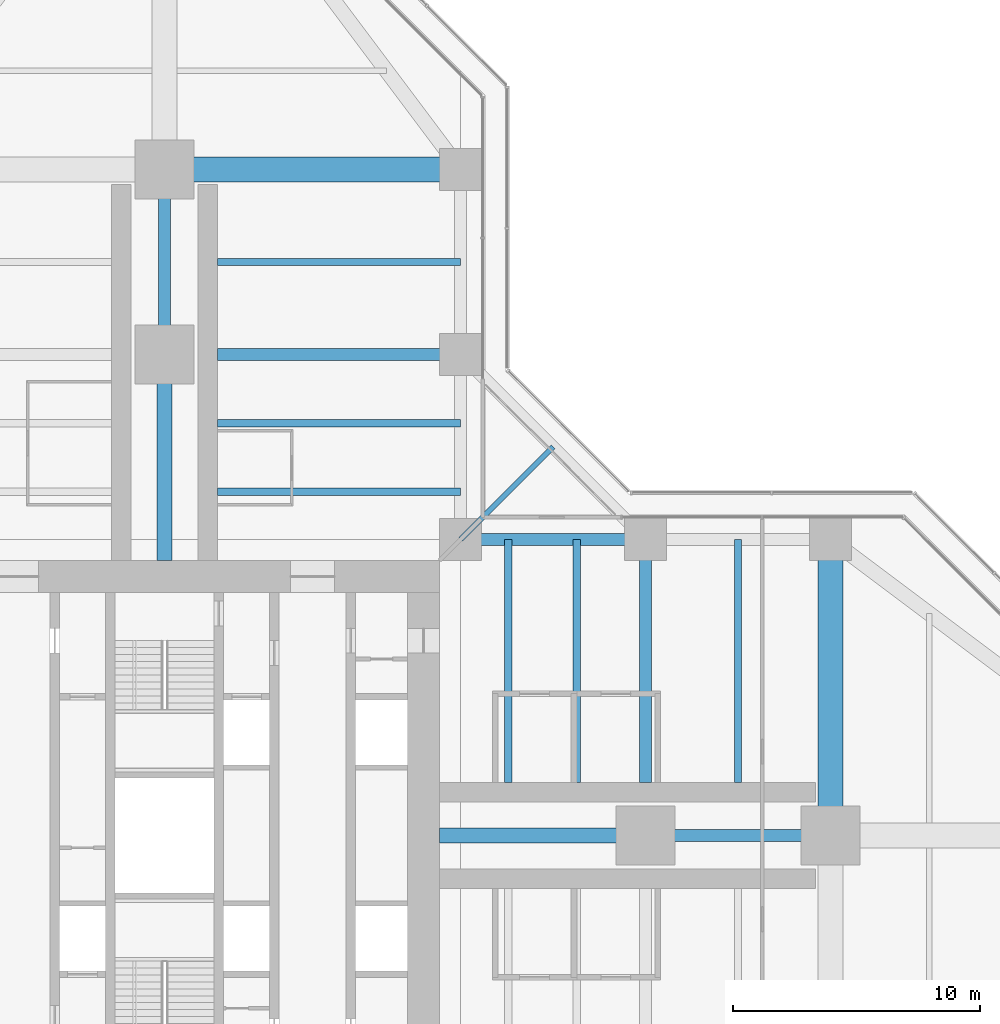
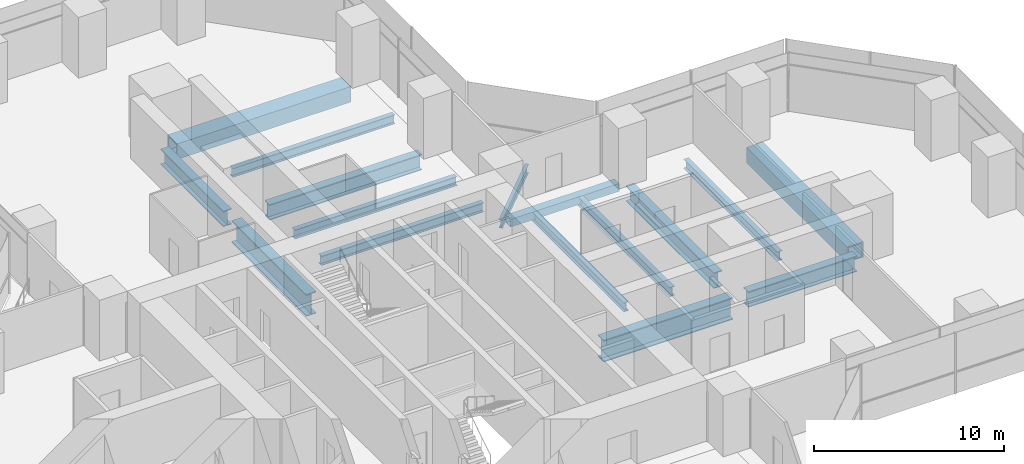
# One storey, part 10 of 22: 16 beams.
"""IFC4 building model written with IfcOpenShell, lengths in metres."""

from ifc_helpers import new_model, si_unit, direction, frame, origin, origin_2d, place, context, subcontext, project, spatial, hollow_rectangle, i_section, extrude, material, material_profile, profile_set, type_object, element, save


model = new_model("IFC4")

# Units and contexts
model_context = context("Model", 3, precision=1e-05, world=origin(), true_north=direction((0.0, 1.0)))
body_context = subcontext(model_context, "Body", "Model", "MODEL_VIEW")
ifc_project = project(units=[si_unit("LENGTHUNIT", "METRE"), si_unit("AREAUNIT", "SQUARE_METRE"), si_unit("VOLUMEUNIT", "CUBIC_METRE"), si_unit("PLANEANGLEUNIT", "RADIAN"), si_unit("MASSUNIT", "GRAM", prefix="KILO")], contexts=[model_context])

# Site, building, storey
site_placement = place(None, origin())
site = spatial("IfcSite", under=ifc_project, at=site_placement, CompositionType="ELEMENT")
building_placement = place(site_placement, origin())
building = spatial("IfcBuilding", under=site, at=building_placement, Name="Mizan Broadcast Tower", CompositionType="ELEMENT")
storey_placement = place(building_placement, frame((0.0, 0.0, 55.199951171875)))
storey = spatial("IfcBuildingStorey", under=building, at=storey_placement, Name="L10", CompositionType="ELEMENT", Elevation=55.199951171875)

# Beams
ifc_material_1 = material(Name="Steel S355", Category="steel")
ifc_material_profile_1 = material_profile(ifc_material_1, hollow_rectangle(XDim=0.5, YDim=0.5, WallThickness=0.030029296875, at=origin_2d()), Name="BOX 500x500x30")
ifc_profile_set_1 = profile_set([ifc_material_profile_1], Name="Steel S355")
beam_type_1 = type_object("IfcBeamType", Name="EDGE BEAM BOX 500x500x30", PredefinedType="SPANDREL", material=ifc_profile_set_1)
beam_1_placement = place(storey_placement, frame((12.449951171875, 12.0, -0.3798828125), z_axis=(1.0, 0.0, 0.0), x_axis=(0.0, 1.0, 0.0)))
element("IfcBeam", 1, at=beam_1_placement, inside=storey, type_object=beam_type_1, Name="Edge beam BOX 500x500x30 L10 east arm", PredefinedType="SPANDREL", context=body_context, shape_type="SweptSolid", body=[
    extrude(hollow_rectangle(XDim=0.5, YDim=0.5, WallThickness=0.030029296875, at=origin_2d()), origin(), (0.0, 0.0, 1.0), 6.60009765625),
])
ifc_material_2 = material(Name="Steel S460", Category="steel")
ifc_material_profile_2 = material_profile(ifc_material_2, hollow_rectangle(XDim=1.0, YDim=1.0, WallThickness=0.080078125, at=origin_2d()), Name="BOX 1000x1000x80")
ifc_profile_set_2 = profile_set([ifc_material_profile_2], Name="Steel S460")
beam_type_2 = type_object("IfcBeamType", Name="GIRDER BOX 1000x1000x80", PredefinedType="BEAM", material=ifc_profile_set_2)
for number, where, z_axis, x_axis, name in (
    (2, (27.0, 11.280029296875, -0.6298828125), (0.0, -1.0, 0.0), (1.0, 0.0, 0.0), "Girder BOX 1000x1000x80 L10 east arm"),
    (3, (11.280029296875, 27.0, -0.6298828125), (-1.0, 0.0, 0.0), (0.0, -1.0, 0.0), "Girder BOX 1000x1000x80 L10 north arm"),
):
    element("IfcBeam", number, at=place(storey_placement, frame(where, z_axis=z_axis, x_axis=x_axis)), inside=storey, type_object=beam_type_2, Name=name, PredefinedType="BEAM", context=body_context, shape_type="SweptSolid", body=[
        extrude(hollow_rectangle(XDim=1.0, YDim=1.0, WallThickness=0.080078125, at=origin_2d()), origin(), (0.0, 0.0, 1.0), 10.56005859375),
    ])
ifc_material_3 = material(Name="Steel S460", Category="steel")
ifc_material_profile_3 = material_profile(ifc_material_3, i_section(OverallWidth=0.5, OverallDepth=1.0, WebThickness=0.02490234375, FlangeThickness=0.050048828125, at=origin_2d()), Name="WPG 1000x500")
ifc_profile_set_3 = profile_set([ifc_material_profile_3], Name="Steel S460")
beam_type_3 = type_object("IfcBeamType", Name="GIRDER WPG 1000x500", PredefinedType="BEAM", material=ifc_profile_set_3)
beam_2_placement = place(storey_placement, frame((19.949951171875, 0.0, -0.6298828125), z_axis=(1.0, 0.0, 0.0), x_axis=(0.0, 1.0, 0.0)))
element("IfcBeam", 4, at=beam_2_placement, inside=storey, type_object=beam_type_3, Name="Girder WPG 1000x500 L10 east arm", PredefinedType="BEAM", context=body_context, shape_type="SweptSolid", body=[
    extrude(i_section(OverallWidth=0.5, OverallDepth=1.0, WebThickness=0.02490234375, FlangeThickness=0.050048828125, at=origin_2d()), origin(), (0.0, 0.0, 1.0), 6.60009765625),
])
beam_3_placement = place(storey_placement, frame((19.5, 11.408935546875, -0.6298828125), z_axis=(0.0, -1.0, 0.0), x_axis=(1.0, 0.0, 0.0)))
element("IfcBeam", 5, at=beam_3_placement, inside=storey, type_object=beam_type_3, Name="Girder WPG 1000x500 L10 east arm", PredefinedType="BEAM", context=body_context, shape_type="SweptSolid", body=[
    extrude(i_section(OverallWidth=0.5, OverallDepth=1.0, WebThickness=0.02490234375, FlangeThickness=0.050048828125, at=origin_2d()), origin(), (0.0, 0.0, 1.0), 9.259033203125),
])
beam_4_placement = place(storey_placement, frame((0.0, 19.949951171875, -0.6298828125), z_axis=(0.0, 1.0, 0.0), x_axis=(-1.0, 0.0, 0.0)))
element("IfcBeam", 6, at=beam_4_placement, inside=storey, type_object=beam_type_3, Name="Girder WPG 1000x500 L10 north arm", PredefinedType="BEAM", context=body_context, shape_type="SweptSolid", body=[
    extrude(i_section(OverallWidth=0.5, OverallDepth=1.0, WebThickness=0.02490234375, FlangeThickness=0.050048828125, at=origin_2d()), origin(), (0.0, 0.0, 1.0), 6.60009765625),
])
beam_5_placement = place(storey_placement, frame((11.408935546875, 19.5, -0.6298828125), z_axis=(-1.0, 0.0, 0.0), x_axis=(0.0, -1.0, 0.0)))
element("IfcBeam", 7, at=beam_5_placement, inside=storey, type_object=beam_type_3, Name="Girder WPG 1000x500 L10 north arm", PredefinedType="BEAM", context=body_context, shape_type="SweptSolid", body=[
    extrude(i_section(OverallWidth=0.5, OverallDepth=1.0, WebThickness=0.02490234375, FlangeThickness=0.050048828125, at=origin_2d()), origin(), (0.0, 0.0, 1.0), 9.259033203125),
])
ifc_material_4 = material(Name="Steel S460", Category="steel")
ifc_material_profile_4 = material_profile(ifc_material_4, i_section(OverallWidth=0.60009765625, OverallDepth=1.39990234375, WebThickness=0.02490234375, FlangeThickness=0.06005859375, at=origin_2d()), Name="WPG 1400x600")
ifc_profile_set_4 = profile_set([ifc_material_profile_4], Name="Steel S460")
beam_type_4 = type_object("IfcBeamType", Name="GIRDER WPG 1400x600", PredefinedType="BEAM", material=ifc_profile_set_4)
for number, where, z_axis, x_axis, name in (
    (8, (11.14990234375, 0.0, -0.829833984375), (1.0, 0.0, 0.0), (0.0, 1.0, 0.0), "Girder WPG 1400x600 L10 east arm"),
    (9, (0.0, 11.14990234375, -0.829833984375), (0.0, 1.0, 0.0), (-1.0, 0.0, 0.0), "Girder WPG 1400x600 L10 north arm"),
):
    element("IfcBeam", number, at=place(storey_placement, frame(where, z_axis=z_axis, x_axis=x_axis)), inside=storey, type_object=beam_type_4, Name=name, PredefinedType="BEAM", context=body_context, shape_type="SweptSolid", body=[
        extrude(i_section(OverallWidth=0.60009765625, OverallDepth=1.39990234375, WebThickness=0.02490234375, FlangeThickness=0.06005859375, at=origin_2d()), origin(), (0.0, 0.0, 1.0), 7.84912109375),
    ])
ifc_material_5 = material(Name="Steel S355", Category="steel")
ifc_material_profile_5 = material_profile(ifc_material_5, i_section(OverallWidth=0.300048828125, OverallDepth=0.590087890625, WebThickness=0.012939453125, FlangeThickness=0.02490234375, FilletRadius=0.027099609375, at=origin_2d()), Name="HEA 600")
ifc_profile_set_5 = profile_set([ifc_material_profile_5], Name="Steel S355")
beam_type_5 = type_object("IfcBeamType", Name="SECONDARY BEAM HEA 600", PredefinedType="JOIST", material=ifc_profile_set_5)
for number, where, z_axis, x_axis, name in (
    (10, (13.933349609375, 12.0, -0.425048828125), (0.0, -1.0, 0.0), (1.0, 0.0, 0.0), "Secondary beam HEA 600 L10 east arm"),
    (11, (16.716552734375, 12.0, -0.425048828125), (0.0, -1.0, 0.0), (1.0, 0.0, 0.0), "Secondary beam HEA 600 L10 east arm"),
    (12, (23.25, 12.0, -0.425048828125), (0.0, -1.0, 0.0), (1.0, 0.0, 0.0), "Secondary beam HEA 600 L10 east arm"),
    (13, (12.0, 13.933349609375, -0.425048828125), (-1.0, 0.0, 0.0), (0.0, -1.0, 0.0), "Secondary beam HEA 600 L10 north arm"),
    (14, (12.0, 16.716552734375, -0.425048828125), (-1.0, 0.0, 0.0), (0.0, -1.0, 0.0), "Secondary beam HEA 600 L10 north arm"),
    (15, (12.0, 23.25, -0.425048828125), (-1.0, 0.0, 0.0), (0.0, -1.0, 0.0), "Secondary beam HEA 600 L10 north arm"),
):
    element("IfcBeam", number, at=place(storey_placement, frame(where, z_axis=z_axis, x_axis=x_axis)), inside=storey, type_object=beam_type_5, Name=name, PredefinedType="JOIST", context=body_context, shape_type="SweptSolid", body=[
        extrude(i_section(OverallWidth=0.300048828125, OverallDepth=0.590087890625, WebThickness=0.012939453125, FlangeThickness=0.02490234375, FilletRadius=0.027099609375, at=origin_2d()), origin(), (0.0, 0.0, 1.0), 9.85009765625),
    ])
ifc_material_6 = material(Name="Steel S355", Category="steel")
ifc_material_profile_6 = material_profile(ifc_material_6, i_section(OverallWidth=0.2099609375, OverallDepth=0.550048828125, WebThickness=0.010986328125, FlangeThickness=0.01708984375, FilletRadius=0.02392578125, at=origin_2d()), Name="IPE 550")
ifc_profile_set_6 = profile_set([ifc_material_profile_6], Name="Steel S355")
beam_type_6 = type_object("IfcBeamType", Name="SECONDARY BEAM IPE 550", PredefinedType="JOIST", material=ifc_profile_set_6)
beam_6_placement = place(storey_placement, frame((12.0, 12.0, -0.405029296875), z_axis=(0.707106781187, 0.707106781187, 0.0), x_axis=(-0.707106781187, 0.707106781187, 0.0)))
element("IfcBeam", 16, at=beam_6_placement, inside=storey, type_object=beam_type_6, Name="Winter garden beam L10 E", PredefinedType="JOIST", context=body_context, shape_type="SweptSolid", body=[
    extrude(i_section(OverallWidth=0.2099609375, OverallDepth=0.550048828125, WebThickness=0.010986328125, FlangeThickness=0.01708984375, FilletRadius=0.02392578125, at=origin_2d()), origin(), (0.0, 0.0, 1.0), 5.30322265625),
])

save(model, "model.ifc")
